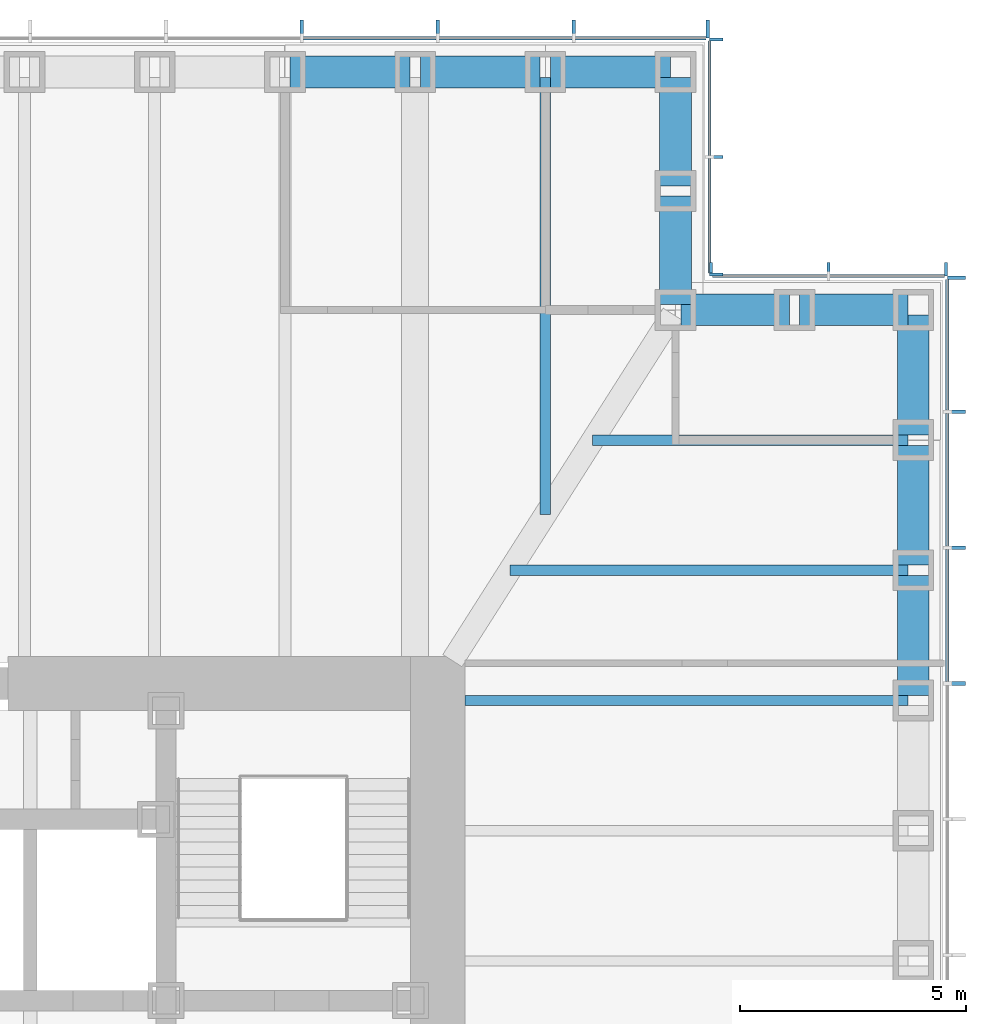
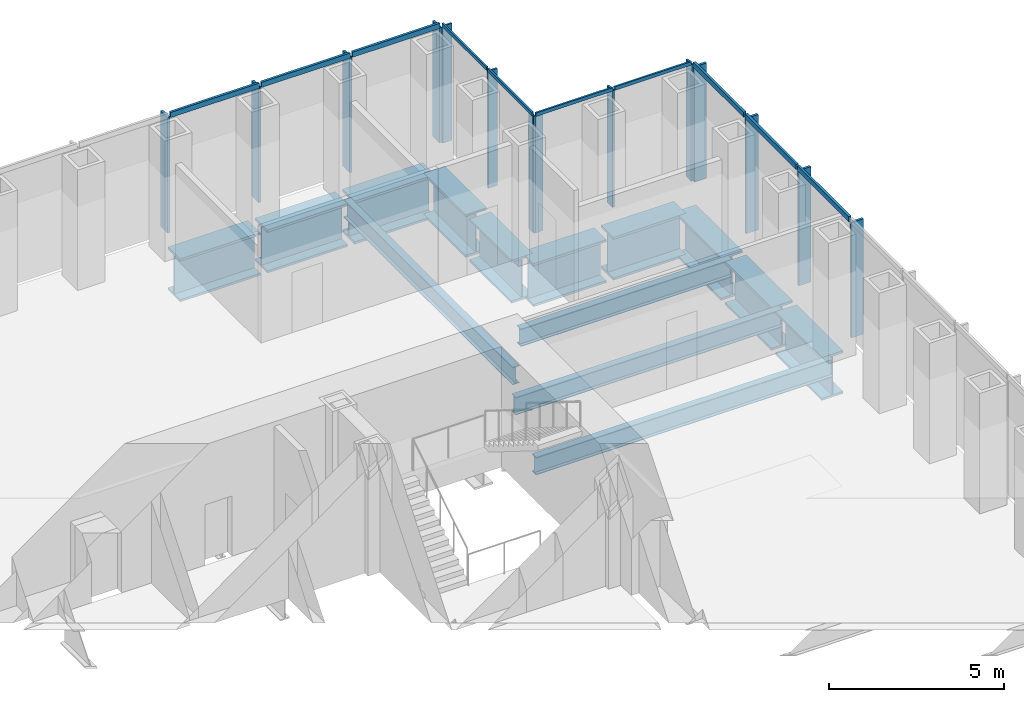
# One storey, part 6 of 17: 24 members, 14 beams, 4 elements without a shape of their own.
"""IFC4 building model written with IfcOpenShell, lengths in metres."""

from ifc_helpers import new_model, si_unit, direction, frame, origin, origin_2d, place, context, subcontext, project, spatial, rectangle, i_section, extrude, material, material_profile, profile_set, type_object, element, aggregate, save


model = new_model("IFC4")

# Units and contexts
model_context = context("Model", 3, precision=1e-05, world=origin(), true_north=direction((0.0, 1.0)))
body_context = subcontext(model_context, "Body", "Model", "MODEL_VIEW")
ifc_project = project(units=[si_unit("LENGTHUNIT", "METRE"), si_unit("AREAUNIT", "SQUARE_METRE"), si_unit("VOLUMEUNIT", "CUBIC_METRE"), si_unit("PLANEANGLEUNIT", "RADIAN"), si_unit("MASSUNIT", "GRAM", prefix="KILO")], contexts=[model_context])

# Site, building, storey
site_placement = place(None, origin())
site = spatial("IfcSite", under=ifc_project, at=site_placement, CompositionType="ELEMENT")
building_placement = place(site_placement, origin())
building = spatial("IfcBuilding", under=site, at=building_placement, Name="Daluyong Arena Tower", CompositionType="ELEMENT")
storey_placement = place(building_placement, frame((0.0, 0.0, 154.300048828125)))
storey = spatial("IfcBuildingStorey", under=building, at=storey_placement, Name="L34", CompositionType="ELEMENT", Elevation=154.300048828125)

# Curtain wall, members
ifc_material_1 = material(Name="Bronze anodised aluminium and glass", Category="aluminium")
curtain_wall_type_1 = type_object("IfcCurtainWallType", Name="Curtain wall CW2", PredefinedType="USERDEFINED", material=ifc_material_1)
curtain_wall_1_placement = place(storey_placement, origin())
curtain_wall_1 = element("IfcCurtainWall", 1, at=curtain_wall_1_placement, inside=storey, type_object=curtain_wall_type_1, Name="curtain wall L34 E", ObjectType="UNITISED CURTAIN WALL", PredefinedType="USERDEFINED")
ifc_material_2 = material(Name="Bronze anodised aluminium fin", Category="aluminium")
ifc_material_profile_1 = material_profile(ifc_material_2, rectangle(XDim=0.39990234375, YDim=0.080078125, at=origin_2d()))
ifc_profile_set_1 = profile_set([ifc_material_profile_1], Name="Bronze anodised aluminium fin")
member_type_1 = type_object("IfcMemberType", Name="CW2 bronze fin 400x80", PredefinedType="MULLION", material=ifc_profile_set_1)
member_1_placement = place(storey_placement, frame((79.449951171875, 89.0, 0.0), z_axis=(0.0, 0.0, 1.0), x_axis=(-1.0, 0.0, 0.0)))
member_1 = element("IfcMember", 2, at=member_1_placement, type_object=member_type_1, Name="curtain wall L34 E fin 10", PredefinedType="MULLION", context=body_context, shape_type="SweptSolid", body=[
    extrude(rectangle(XDim=0.39990234375, YDim=0.080078125, at=origin_2d()), origin(), (0.0, 0.0, 1.0), 4.02001953125),
])
member_2_placement = place(storey_placement, frame((79.449951171875, 92.0, 0.0), z_axis=(0.0, 0.0, 1.0), x_axis=(-1.0, 0.0, 0.0)))
member_2 = element("IfcMember", 3, at=member_2_placement, type_object=member_type_1, Name="curtain wall L34 E fin 11", PredefinedType="MULLION", context=body_context, shape_type="SweptSolid", body=[
    extrude(rectangle(XDim=0.39990234375, YDim=0.080078125, at=origin_2d()), origin(), (0.0, 0.0, 1.0), 4.02001953125),
])
member_3_placement = place(storey_placement, frame((79.449951171875, 95.0, 0.0), z_axis=(0.0, 0.0, 1.0), x_axis=(-1.0, 0.0, 0.0)))
member_3 = element("IfcMember", 4, at=member_3_placement, type_object=member_type_1, Name="curtain wall L34 E fin 12", PredefinedType="MULLION", context=body_context, shape_type="SweptSolid", body=[
    extrude(rectangle(XDim=0.39990234375, YDim=0.080078125, at=origin_2d()), origin(), (0.0, 0.0, 1.0), 4.02001953125),
])
member_4_placement = place(storey_placement, frame((79.449951171875, 97.9599609375, 0.0), z_axis=(0.0, 0.0, 1.0), x_axis=(-1.0, 0.0, 0.0)))
member_4 = element("IfcMember", 5, at=member_4_placement, type_object=member_type_1, Name="curtain wall L34 E fin 13", PredefinedType="MULLION", context=body_context, shape_type="SweptSolid", body=[
    extrude(rectangle(XDim=0.39990234375, YDim=0.080078125, at=origin_2d()), origin(), (0.0, 0.0, 1.0), 4.02001953125),
])

curtain_wall_2_placement = place(storey_placement, origin())
curtain_wall_2 = element("IfcCurtainWall", 6, at=curtain_wall_2_placement, inside=storey, type_object=curtain_wall_type_1, Name="curtain wall L34 N", ObjectType="UNITISED CURTAIN WALL", PredefinedType="USERDEFINED")
member_5_placement = place(storey_placement, frame((73.9599609375, 103.449951171875, 0.0), z_axis=(0.0, 0.0, 1.0), x_axis=(0.0, -1.0, 0.0)))
member_5 = element("IfcMember", 7, at=member_5_placement, type_object=member_type_1, Name="curtain wall L34 N fin 1", PredefinedType="MULLION", context=body_context, shape_type="SweptSolid", body=[
    extrude(rectangle(XDim=0.39990234375, YDim=0.080078125, at=origin_2d()), origin(), (0.0, 0.0, 1.0), 4.02001953125),
])
member_6_placement = place(storey_placement, frame((71.0, 103.449951171875, 0.0), z_axis=(0.0, 0.0, 1.0), x_axis=(0.0, -1.0, 0.0)))
member_6 = element("IfcMember", 8, at=member_6_placement, type_object=member_type_1, Name="curtain wall L34 N fin 2", PredefinedType="MULLION", context=body_context, shape_type="SweptSolid", body=[
    extrude(rectangle(XDim=0.39990234375, YDim=0.080078125, at=origin_2d()), origin(), (0.0, 0.0, 1.0), 4.02001953125),
])
member_7_placement = place(storey_placement, frame((68.0, 103.449951171875, 0.0), z_axis=(0.0, 0.0, 1.0), x_axis=(0.0, -1.0, 0.0)))
member_7 = element("IfcMember", 9, at=member_7_placement, type_object=member_type_1, Name="curtain wall L34 N fin 3", PredefinedType="MULLION", context=body_context, shape_type="SweptSolid", body=[
    extrude(rectangle(XDim=0.39990234375, YDim=0.080078125, at=origin_2d()), origin(), (0.0, 0.0, 1.0), 4.02001953125),
])
member_8_placement = place(storey_placement, frame((65.0, 103.449951171875, 0.0), z_axis=(0.0, 0.0, 1.0), x_axis=(0.0, -1.0, 0.0)))
member_8 = element("IfcMember", 10, at=member_8_placement, type_object=member_type_1, Name="curtain wall L34 N fin 4", PredefinedType="MULLION", context=body_context, shape_type="SweptSolid", body=[
    extrude(rectangle(XDim=0.39990234375, YDim=0.080078125, at=origin_2d()), origin(), (0.0, 0.0, 1.0), 4.02001953125),
])

# Member
ifc_material_3 = material(Name="Bronze anodised aluminium", Category="aluminium")
ifc_material_profile_2 = material_profile(ifc_material_3, rectangle(XDim=0.080078125, YDim=0.179931640625, at=origin_2d()))
ifc_profile_set_2 = profile_set([ifc_material_profile_2], Name="Bronze anodised aluminium")
member_type_2 = type_object("IfcMemberType", Name="CW2 stack transom 180x80", PredefinedType="USERDEFINED", material=ifc_profile_set_2)
member_9_placement = place(storey_placement, frame((79.25, 89.0400390625, 4.10986328125), z_axis=(0.0, 1.0, 0.0), x_axis=(-1.0, 0.0, 0.0)))
member_9 = element("IfcMember", 11, at=member_9_placement, type_object=member_type_2, Name="curtain wall L34 E transom 10", ObjectType="TRANSOM", PredefinedType="USERDEFINED", context=body_context, shape_type="SweptSolid", body=[
    extrude(rectangle(XDim=0.080078125, YDim=0.179931640625, at=origin_2d()), origin(), (0.0, 0.0, 1.0), 2.919921875),
])

member_10_placement = place(storey_placement, frame((79.25, 92.0400390625, 4.10986328125), z_axis=(0.0, 1.0, 0.0), x_axis=(-1.0, 0.0, 0.0)))
member_10 = element("IfcMember", 12, at=member_10_placement, type_object=member_type_2, Name="curtain wall L34 E transom 11", ObjectType="TRANSOM", PredefinedType="USERDEFINED", context=body_context, shape_type="SweptSolid", body=[
    extrude(rectangle(XDim=0.080078125, YDim=0.179931640625, at=origin_2d()), origin(), (0.0, 0.0, 1.0), 2.919921875),
])

member_11_placement = place(storey_placement, frame((79.25, 95.0400390625, 4.10986328125), z_axis=(0.0, 1.0, 0.0), x_axis=(-1.0, 0.0, 0.0)))
member_11 = element("IfcMember", 13, at=member_11_placement, type_object=member_type_2, Name="curtain wall L34 E transom 12", ObjectType="TRANSOM", PredefinedType="USERDEFINED", context=body_context, shape_type="SweptSolid", body=[
    extrude(rectangle(XDim=0.080078125, YDim=0.179931640625, at=origin_2d()), origin(), (0.0, 0.0, 1.0), 2.8798828125),
])

aggregate(curtain_wall_1, [member_1, member_2, member_3, member_4, member_9, member_10, member_11])

member_12_placement = place(storey_placement, frame((73.919921875, 103.25, 4.10986328125), z_axis=(-1.0, 0.0, 0.0), x_axis=(0.0, -1.0, 0.0)))
member_12 = element("IfcMember", 14, at=member_12_placement, type_object=member_type_2, Name="curtain wall L34 N transom 1", ObjectType="TRANSOM", PredefinedType="USERDEFINED", context=body_context, shape_type="SweptSolid", body=[
    extrude(rectangle(XDim=0.080078125, YDim=0.179931640625, at=origin_2d()), origin(), (0.0, 0.0, 1.0), 2.8798828125),
])

member_13_placement = place(storey_placement, frame((70.9599609375, 103.25, 4.10986328125), z_axis=(-1.0, 0.0, 0.0), x_axis=(0.0, -1.0, 0.0)))
member_13 = element("IfcMember", 15, at=member_13_placement, type_object=member_type_2, Name="curtain wall L34 N transom 2", ObjectType="TRANSOM", PredefinedType="USERDEFINED", context=body_context, shape_type="SweptSolid", body=[
    extrude(rectangle(XDim=0.080078125, YDim=0.179931640625, at=origin_2d()), origin(), (0.0, 0.0, 1.0), 2.919921875),
])

member_14_placement = place(storey_placement, frame((67.9599609375, 103.25, 4.10986328125), z_axis=(-1.0, 0.0, 0.0), x_axis=(0.0, -1.0, 0.0)))
member_14 = element("IfcMember", 16, at=member_14_placement, type_object=member_type_2, Name="curtain wall L34 N transom 3", ObjectType="TRANSOM", PredefinedType="USERDEFINED", context=body_context, shape_type="SweptSolid", body=[
    extrude(rectangle(XDim=0.080078125, YDim=0.179931640625, at=origin_2d()), origin(), (0.0, 0.0, 1.0), 2.919921875),
])

aggregate(curtain_wall_2, [member_5, member_6, member_7, member_8, member_12, member_13, member_14])

# Curtain wall, members
ifc_material_4 = material(Name="Bronze anodised aluminium and glass", Category="aluminium")
curtain_wall_type_2 = type_object("IfcCurtainWallType", Name="Curtain wall CW7", PredefinedType="USERDEFINED", material=ifc_material_4)
curtain_wall_3_placement = place(storey_placement, origin())
curtain_wall_3 = element("IfcCurtainWall", 17, at=curtain_wall_3_placement, inside=storey, type_object=curtain_wall_type_2, Name="curtain wall L34 NE-N", ObjectType="UNITISED CURTAIN WALL", PredefinedType="USERDEFINED")
ifc_material_5 = material(Name="Bronze anodised aluminium fin", Category="aluminium")
ifc_material_profile_3 = material_profile(ifc_material_5, rectangle(XDim=0.300048828125, YDim=0.06005859375, at=origin_2d()))
ifc_profile_set_3 = profile_set([ifc_material_profile_3], Name="Bronze anodised aluminium fin")
member_type_3 = type_object("IfcMemberType", Name="CW7 bronze fin 300x60", PredefinedType="MULLION", material=ifc_profile_set_3)
member_15_placement = place(storey_placement, frame((79.219970703125, 98.14990234375, 0.0), z_axis=(0.0, 0.0, 1.0), x_axis=(0.0, -1.0, 0.0)))
member_15 = element("IfcMember", 18, at=member_15_placement, type_object=member_type_3, Name="curtain wall L34 NE-N fin 1", PredefinedType="MULLION", context=body_context, shape_type="SweptSolid", body=[
    extrude(rectangle(XDim=0.300048828125, YDim=0.06005859375, at=origin_2d()), origin(), (0.0, 0.0, 1.0), 4.079833984375),
])
member_16_placement = place(storey_placement, frame((76.625, 98.14990234375, 0.0), z_axis=(0.0, 0.0, 1.0), x_axis=(0.0, -1.0, 0.0)))
member_16 = element("IfcMember", 19, at=member_16_placement, type_object=member_type_3, Name="curtain wall L34 NE-N fin 2", PredefinedType="MULLION", context=body_context, shape_type="SweptSolid", body=[
    extrude(rectangle(XDim=0.300048828125, YDim=0.06005859375, at=origin_2d()), origin(), (0.0, 0.0, 1.0), 4.079833984375),
])
member_17_placement = place(storey_placement, frame((74.030029296875, 98.14990234375, 0.0), z_axis=(0.0, 0.0, 1.0), x_axis=(0.0, -1.0, 0.0)))
member_17 = element("IfcMember", 20, at=member_17_placement, type_object=member_type_3, Name="curtain wall L34 NE-N fin 3", PredefinedType="MULLION", context=body_context, shape_type="SweptSolid", body=[
    extrude(rectangle(XDim=0.300048828125, YDim=0.06005859375, at=origin_2d()), origin(), (0.0, 0.0, 1.0), 4.079833984375),
])

curtain_wall_4_placement = place(storey_placement, origin())
curtain_wall_4 = element("IfcCurtainWall", 21, at=curtain_wall_4_placement, inside=storey, type_object=curtain_wall_type_2, Name="curtain wall L34 NE-E", ObjectType="UNITISED CURTAIN WALL", PredefinedType="USERDEFINED")
member_18_placement = place(storey_placement, frame((74.14990234375, 98.030029296875, 0.0), z_axis=(0.0, 0.0, 1.0), x_axis=(-1.0, 0.0, 0.0)))
member_18 = element("IfcMember", 22, at=member_18_placement, type_object=member_type_3, Name="curtain wall L34 NE-E fin 1", PredefinedType="MULLION", context=body_context, shape_type="SweptSolid", body=[
    extrude(rectangle(XDim=0.300048828125, YDim=0.06005859375, at=origin_2d()), origin(), (0.0, 0.0, 1.0), 4.079833984375),
])
member_19_placement = place(storey_placement, frame((74.14990234375, 100.625, 0.0), z_axis=(0.0, 0.0, 1.0), x_axis=(-1.0, 0.0, 0.0)))
member_19 = element("IfcMember", 23, at=member_19_placement, type_object=member_type_3, Name="curtain wall L34 NE-E fin 2", PredefinedType="MULLION", context=body_context, shape_type="SweptSolid", body=[
    extrude(rectangle(XDim=0.300048828125, YDim=0.06005859375, at=origin_2d()), origin(), (0.0, 0.0, 1.0), 4.079833984375),
])
member_20_placement = place(storey_placement, frame((74.14990234375, 103.219970703125, 0.0), z_axis=(0.0, 0.0, 1.0), x_axis=(-1.0, 0.0, 0.0)))
member_20 = element("IfcMember", 24, at=member_20_placement, type_object=member_type_3, Name="curtain wall L34 NE-E fin 3", PredefinedType="MULLION", context=body_context, shape_type="SweptSolid", body=[
    extrude(rectangle(XDim=0.300048828125, YDim=0.06005859375, at=origin_2d()), origin(), (0.0, 0.0, 1.0), 4.079833984375),
])

# Member
ifc_material_6 = material(Name="Bronze anodised aluminium", Category="aluminium")
ifc_material_profile_4 = material_profile(ifc_material_6, rectangle(XDim=0.06005859375, YDim=0.1201171875, at=origin_2d()))
ifc_profile_set_4 = profile_set([ifc_material_profile_4], Name="Bronze anodised aluminium")
member_type_4 = type_object("IfcMemberType", Name="CW7 stack transom 120x60", PredefinedType="USERDEFINED", material=ifc_profile_set_4)
member_21_placement = place(storey_placement, frame((79.18994140625, 98.0, 4.139892578125), z_axis=(-1.0, 0.0, 0.0), x_axis=(0.0, -1.0, 0.0)))
member_21 = element("IfcMember", 25, at=member_21_placement, type_object=member_type_4, Name="curtain wall L34 NE-N transom 1", ObjectType="TRANSOM", PredefinedType="USERDEFINED", context=body_context, shape_type="SweptSolid", body=[
    extrude(rectangle(XDim=0.06005859375, YDim=0.1201171875, at=origin_2d()), origin(), (0.0, 0.0, 1.0), 2.534912109375),
])

member_22_placement = place(storey_placement, frame((76.594970703125, 98.0, 4.139892578125), z_axis=(-1.0, 0.0, 0.0), x_axis=(0.0, -1.0, 0.0)))
member_22 = element("IfcMember", 26, at=member_22_placement, type_object=member_type_4, Name="curtain wall L34 NE-N transom 2", ObjectType="TRANSOM", PredefinedType="USERDEFINED", context=body_context, shape_type="SweptSolid", body=[
    extrude(rectangle(XDim=0.06005859375, YDim=0.1201171875, at=origin_2d()), origin(), (0.0, 0.0, 1.0), 2.534912109375),
])

aggregate(curtain_wall_3, [member_15, member_16, member_17, member_21, member_22])

member_23_placement = place(storey_placement, frame((74.0, 98.06005859375, 4.139892578125), z_axis=(0.0, 1.0, 0.0), x_axis=(-1.0, 0.0, 0.0)))
member_23 = element("IfcMember", 27, at=member_23_placement, type_object=member_type_4, Name="curtain wall L34 NE-E transom 1", ObjectType="TRANSOM", PredefinedType="USERDEFINED", context=body_context, shape_type="SweptSolid", body=[
    extrude(rectangle(XDim=0.06005859375, YDim=0.1201171875, at=origin_2d()), origin(), (0.0, 0.0, 1.0), 2.534912109375),
])

member_24_placement = place(storey_placement, frame((74.0, 100.655029296875, 4.139892578125), z_axis=(0.0, 1.0, 0.0), x_axis=(-1.0, 0.0, 0.0)))
member_24 = element("IfcMember", 28, at=member_24_placement, type_object=member_type_4, Name="curtain wall L34 NE-E transom 2", ObjectType="TRANSOM", PredefinedType="USERDEFINED", context=body_context, shape_type="SweptSolid", body=[
    extrude(rectangle(XDim=0.06005859375, YDim=0.1201171875, at=origin_2d()), origin(), (0.0, 0.0, 1.0), 2.534912109375),
])

aggregate(curtain_wall_4, [member_18, member_19, member_20, member_23, member_24])

# Beams
ifc_material_7 = material(Name="Steel ASTM A992 Grade 50", Category="steel")
ifc_material_profile_5 = material_profile(ifc_material_7, i_section(OverallWidth=0.22900390625, OverallDepth=0.612060546875, WebThickness=0.011962890625, FlangeThickness=0.01953125, at=origin_2d()))
ifc_profile_set_5 = profile_set([ifc_material_profile_5], Name="Steel ASTM A992 Grade 50")
beam_type_1 = type_object("IfcBeamType", Name="Floor beam W24X84", PredefinedType="BEAM", material=ifc_profile_set_5)
beam_1_placement = place(storey_placement, frame((78.385009765625, 88.625, -0.466064453125), z_axis=(-1.0, 0.0, 0.0), x_axis=(0.0, -1.0, 0.0)))
element("IfcBeam", 29, at=beam_1_placement, inside=storey, type_object=beam_type_1, Name="floor beam FB3", PredefinedType="BEAM", context=body_context, shape_type="SweptSolid", body=[
    extrude(i_section(OverallWidth=0.22900390625, OverallDepth=0.612060546875, WebThickness=0.011962890625, FlangeThickness=0.01953125, at=origin_2d()), origin(), (0.0, 0.0, 1.0), 9.784912109375),
])
beam_2_placement = place(storey_placement, frame((78.385009765625, 91.5, -0.466064453125), z_axis=(-1.0, 0.0, 0.0), x_axis=(0.0, -1.0, 0.0)))
element("IfcBeam", 30, at=beam_2_placement, inside=storey, type_object=beam_type_1, Name="floor beam FB3", PredefinedType="BEAM", context=body_context, shape_type="SweptSolid", body=[
    extrude(i_section(OverallWidth=0.22900390625, OverallDepth=0.612060546875, WebThickness=0.011962890625, FlangeThickness=0.01953125, at=origin_2d()), origin(), (0.0, 0.0, 1.0), 8.794189453125),
])
beam_3_placement = place(storey_placement, frame((78.385009765625, 94.375, -0.466064453125), z_axis=(-1.0, 0.0, 0.0), x_axis=(0.0, -1.0, 0.0)))
element("IfcBeam", 31, at=beam_3_placement, inside=storey, type_object=beam_type_1, Name="floor beam FB3", PredefinedType="BEAM", context=body_context, shape_type="SweptSolid", body=[
    extrude(i_section(OverallWidth=0.22900390625, OverallDepth=0.612060546875, WebThickness=0.011962890625, FlangeThickness=0.01953125, at=origin_2d()), origin(), (0.0, 0.0, 1.0), 6.964599609375),
])
beam_4_placement = place(storey_placement, frame((70.375, 102.385009765625, -0.466064453125), z_axis=(0.0, -1.0, 0.0), x_axis=(1.0, 0.0, 0.0)))
element("IfcBeam", 32, at=beam_4_placement, inside=storey, type_object=beam_type_1, Name="floor beam FB3", PredefinedType="BEAM", context=body_context, shape_type="SweptSolid", body=[
    extrude(i_section(OverallWidth=0.22900390625, OverallDepth=0.612060546875, WebThickness=0.011962890625, FlangeThickness=0.01953125, at=origin_2d()), origin(), (0.0, 0.0, 1.0), 9.65283203125),
])
ifc_material_8 = material(Name="Steel ASTM A572 Grade 50", Category="steel")
ifc_material_profile_6 = material_profile(ifc_material_8, i_section(OverallWidth=0.699951171875, OverallDepth=1.5, WebThickness=0.04, FlangeThickness=0.08, at=origin_2d()))
ifc_profile_set_6 = profile_set([ifc_material_profile_6], Name="Steel ASTM A572 Grade 50")
beam_type_2 = type_object("IfcBeamType", Name="Spandrel Z2 PG1500X700", PredefinedType="SPANDREL", material=ifc_profile_set_6)
for number, where, z_axis, x_axis, name in (
    (33, (78.5, 88.739990234375, -0.91015625), (0.0, 1.0, 0.0), (-1.0, 0.0, 0.0), "spandrel z2 SB6"),
    (34, (78.5, 91.614990234375, -0.91015625), (0.0, 1.0, 0.0), (-1.0, 0.0, 0.0), "spandrel z2 SB6"),
    (35, (78.5, 94.489990234375, -0.91015625), (0.0, 1.0, 0.0), (-1.0, 0.0, 0.0), "spandrel z2 SB6"),
):
    element("IfcBeam", number, at=place(storey_placement, frame(where, z_axis=z_axis, x_axis=x_axis)), inside=storey, type_object=beam_type_2, Name=name, PredefinedType="SPANDREL", context=body_context, shape_type="SweptSolid", body=[
        extrude(i_section(OverallWidth=0.699951171875, OverallDepth=1.5, WebThickness=0.04, FlangeThickness=0.08, at=origin_2d()), origin(), (0.0, 0.0, 1.0), 2.64501953125),
    ])
for number, where, z_axis, x_axis, name in (
    (36, (78.385009765625, 97.25, -0.91015625), (-1.0, 0.0, 0.0), (0.0, -1.0, 0.0), "spandrel z2 SB6"),
    (37, (75.760009765625, 97.25, -0.91015625), (-1.0, 0.0, 0.0), (0.0, -1.0, 0.0), "spandrel z2 SB6"),
    (38, (73.25, 97.364990234375, -0.91015625), (0.0, 1.0, 0.0), (-1.0, 0.0, 0.0), "spandrel z2 SB6"),
    (39, (73.25, 99.989990234375, -0.91015625), (0.0, 1.0, 0.0), (-1.0, 0.0, 0.0), "spandrel z2 SB6"),
):
    element("IfcBeam", number, at=place(storey_placement, frame(where, z_axis=z_axis, x_axis=x_axis)), inside=storey, type_object=beam_type_2, Name=name, PredefinedType="SPANDREL", context=body_context, shape_type="SweptSolid", body=[
        extrude(i_section(OverallWidth=0.699951171875, OverallDepth=1.5, WebThickness=0.04, FlangeThickness=0.08, at=origin_2d()), origin(), (0.0, 0.0, 1.0), 2.39501953125),
    ])
for number, where, z_axis, x_axis, name in (
    (40, (73.135009765625, 102.5, -0.91015625), (-1.0, 0.0, 0.0), (0.0, -1.0, 0.0), "spandrel z2 SB6"),
    (41, (70.260009765625, 102.5, -0.91015625), (-1.0, 0.0, 0.0), (0.0, -1.0, 0.0), "spandrel z2 SB6"),
    (42, (67.385009765625, 102.5, -0.91015625), (-1.0, 0.0, 0.0), (0.0, -1.0, 0.0), "spandrel z2 SB6"),
):
    element("IfcBeam", number, at=place(storey_placement, frame(where, z_axis=z_axis, x_axis=x_axis)), inside=storey, type_object=beam_type_2, Name=name, PredefinedType="SPANDREL", context=body_context, shape_type="SweptSolid", body=[
        extrude(i_section(OverallWidth=0.699951171875, OverallDepth=1.5, WebThickness=0.04, FlangeThickness=0.08, at=origin_2d()), origin(), (0.0, 0.0, 1.0), 2.64501953125),
    ])

save(model, "model.ifc")
